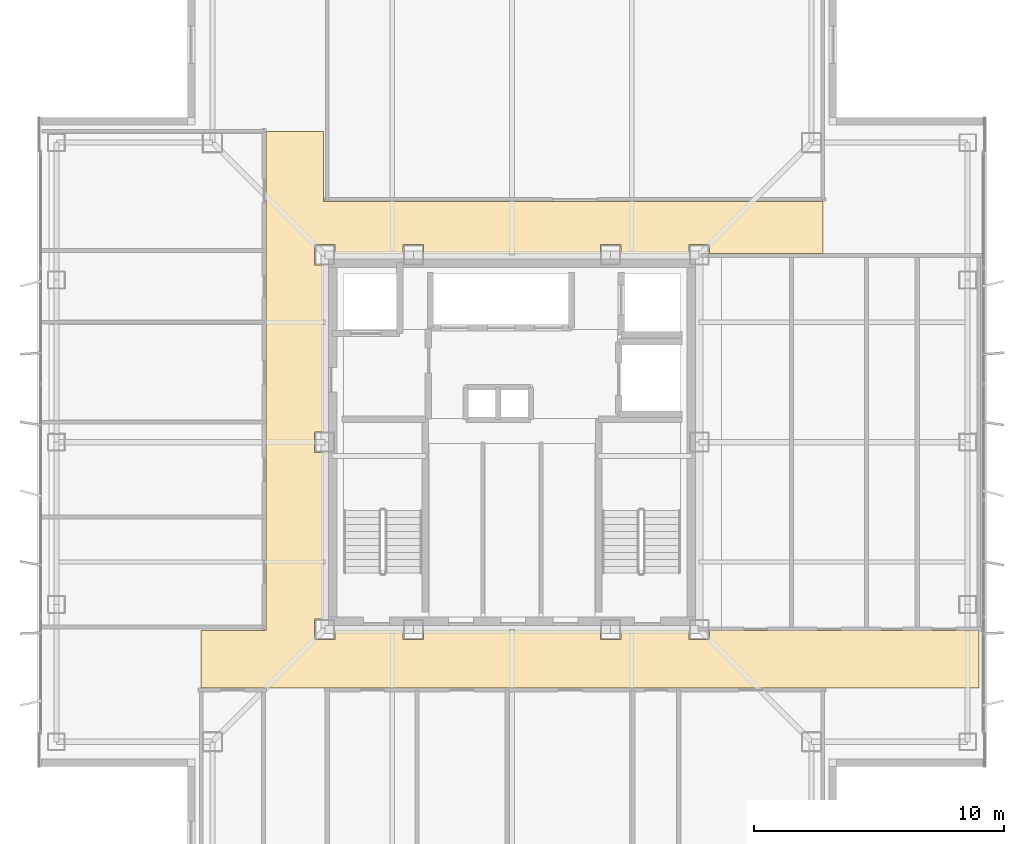
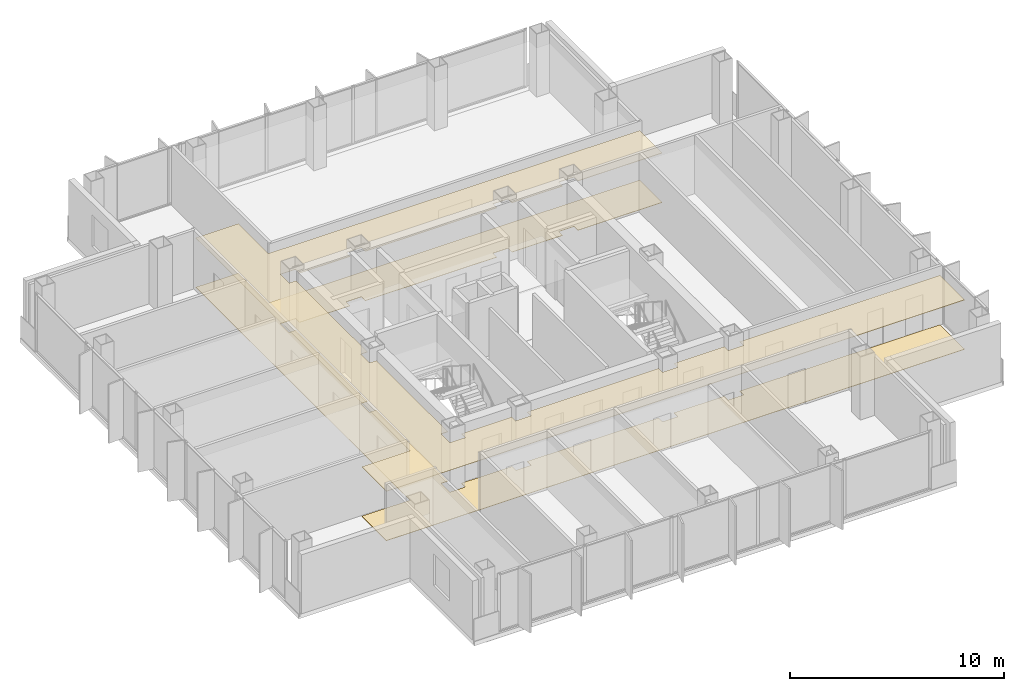
# One storey, part 13 of 15: 2 coverings.
"""IFC4 building model written with IfcOpenShell, lengths in metres."""

from ifc_helpers import new_model, si_unit, direction, frame, origin, place, context, subcontext, project, spatial, polyline, outline, extrude, material, layer, layer_set, type_object, element, save


model = new_model("IFC4")

# Units and contexts
model_context = context("Model", 3, precision=1e-05, world=origin(), true_north=direction((0.0, 1.0)))
body_context = subcontext(model_context, "Body", "Model", "MODEL_VIEW")
ifc_project = project(units=[si_unit("LENGTHUNIT", "METRE"), si_unit("AREAUNIT", "SQUARE_METRE"), si_unit("VOLUMEUNIT", "CUBIC_METRE"), si_unit("PLANEANGLEUNIT", "RADIAN"), si_unit("MASSUNIT", "GRAM", prefix="KILO")], contexts=[model_context])

# Site, building, storey
site_placement = place(None, origin())
site = spatial("IfcSite", under=ifc_project, at=site_placement, CompositionType="ELEMENT")
building_placement = place(site_placement, origin())
building = spatial("IfcBuilding", under=site, at=building_placement, Name="Trevonay Congress Spire", CompositionType="ELEMENT")
storey_placement = place(building_placement, frame((0.0, 0.0, 293.60009765625)))
storey = spatial("IfcBuildingStorey", under=building, at=storey_placement, Name="L77", CompositionType="ELEMENT", Elevation=293.60009765625)

# Coverings
ifc_material_1 = material(Name="Acoustic Mineral Fibre Board", Category="gypsum")
ifc_layer_1 = layer(ifc_material_1, 0.02490234375, Name="Acoustic Mineral Fibre Board")
ifc_layer_set_1 = layer_set([ifc_layer_1], Name="Acoustic Mineral Fibre Board")
covering_type_1 = type_object("IfcCoveringType", Name="COV-CEIL-ACOUSTIC", PredefinedType="CEILING", material=ifc_layer_set_1)
covering_1_placement = place(storey_placement, frame((0.0, 0.0, 2.809814453125)))
element("IfcCovering", 1, at=covering_1_placement, inside=storey, type_object=covering_type_1, Name="L77 Cruciform Boulevard Corridor acoustic suspended ceiling", PredefinedType="CEILING", context=body_context, shape_type="SweptSolid", body=[
    extrude(outline(polyline([(18.699951171875, -7.550048828125), (18.699951171875, -9.85009765625), (-12.449951171875, -9.85009765625), (-12.449951171875, -7.550048828125), (-9.85009765625, -7.550048828125), (-9.85009765625, 12.449951171875), (-7.550048828125, 12.449951171875), (-7.550048828125, 9.64990234375), (12.449951171875, 9.64990234375), (12.449951171875, 7.550048828125), (7.909912109375, 7.550048828125), (7.909912109375, 7.909912109375), (7.090087890625, 7.909912109375), (7.090087890625, 7.550048828125), (4.360107421875, 7.550048828125), (4.360107421875, 7.909912109375), (3.5400390625, 7.909912109375), (3.5400390625, 7.550048828125), (-3.5400390625, 7.550048828125), (-3.5400390625, 7.909912109375), (-4.360107421875, 7.909912109375), (-4.360107421875, 7.550048828125), (-7.090087890625, 7.550048828125), (-7.090087890625, 7.909912109375), (-7.909912109375, 7.909912109375), (-7.909912109375, 7.090087890625), (-7.550048828125, 7.090087890625), (-7.550048828125, 0.409912109375), (-7.909912109375, 0.409912109375), (-7.909912109375, -0.409912109375), (-7.550048828125, -0.409912109375), (-7.550048828125, -7.090087890625), (-7.909912109375, -7.090087890625), (-7.909912109375, -7.909912109375), (-7.090087890625, -7.909912109375), (-7.090087890625, -7.550048828125), (-4.360107421875, -7.550048828125), (-4.360107421875, -7.909912109375), (-3.5400390625, -7.909912109375), (-3.5400390625, -7.550048828125), (3.5400390625, -7.550048828125), (3.5400390625, -7.909912109375), (4.360107421875, -7.909912109375), (4.360107421875, -7.550048828125), (7.090087890625, -7.550048828125), (7.090087890625, -7.909912109375), (7.909912109375, -7.909912109375), (7.909912109375, -7.550048828125), (18.699951171875, -7.550048828125)])), origin(), (0.0, 0.0, 1.0), 0.025146484375),
])
ifc_material_2 = material(Name="Polished Granite Floor Tile", Category="masonry")
ifc_layer_2 = layer(ifc_material_2, 0.02001953125, Name="Polished Granite Floor Tile")
ifc_layer_set_2 = layer_set([ifc_layer_2], Name="Polished Granite Floor Tile")
covering_type_2 = type_object("IfcCoveringType", Name="COV-FLOOR-STONE", PredefinedType="FLOORING", material=ifc_layer_set_2)
covering_2_placement = place(storey_placement, origin())
element("IfcCovering", 2, at=covering_2_placement, inside=storey, type_object=covering_type_2, Name="L77 Cruciform Boulevard Corridor floor finish", PredefinedType="FLOORING", context=body_context, shape_type="SweptSolid", body=[
    extrude(outline(polyline([(18.699951171875, -7.550048828125), (18.699951171875, -9.85009765625), (-12.449951171875, -9.85009765625), (-12.449951171875, -7.550048828125), (-9.85009765625, -7.550048828125), (-9.85009765625, 12.449951171875), (-7.550048828125, 12.449951171875), (-7.550048828125, 9.64990234375), (12.449951171875, 9.64990234375), (12.449951171875, 7.550048828125), (7.909912109375, 7.550048828125), (7.909912109375, 7.909912109375), (7.090087890625, 7.909912109375), (7.090087890625, 7.550048828125), (4.360107421875, 7.550048828125), (4.360107421875, 7.909912109375), (3.5400390625, 7.909912109375), (3.5400390625, 7.550048828125), (-3.5400390625, 7.550048828125), (-3.5400390625, 7.909912109375), (-4.360107421875, 7.909912109375), (-4.360107421875, 7.550048828125), (-7.090087890625, 7.550048828125), (-7.090087890625, 7.909912109375), (-7.909912109375, 7.909912109375), (-7.909912109375, 7.090087890625), (-7.550048828125, 7.090087890625), (-7.550048828125, 0.409912109375), (-7.909912109375, 0.409912109375), (-7.909912109375, -0.409912109375), (-7.550048828125, -0.409912109375), (-7.550048828125, -7.090087890625), (-7.909912109375, -7.090087890625), (-7.909912109375, -7.909912109375), (-7.090087890625, -7.909912109375), (-7.090087890625, -7.550048828125), (-4.360107421875, -7.550048828125), (-4.360107421875, -7.909912109375), (-3.5400390625, -7.909912109375), (-3.5400390625, -7.550048828125), (3.5400390625, -7.550048828125), (3.5400390625, -7.909912109375), (4.360107421875, -7.909912109375), (4.360107421875, -7.550048828125), (7.090087890625, -7.550048828125), (7.090087890625, -7.909912109375), (7.909912109375, -7.909912109375), (7.909912109375, -7.550048828125), (18.699951171875, -7.550048828125)])), origin(), (0.0, 0.0, 1.0), 0.02001953125),
])

save(model, "model.ifc")
